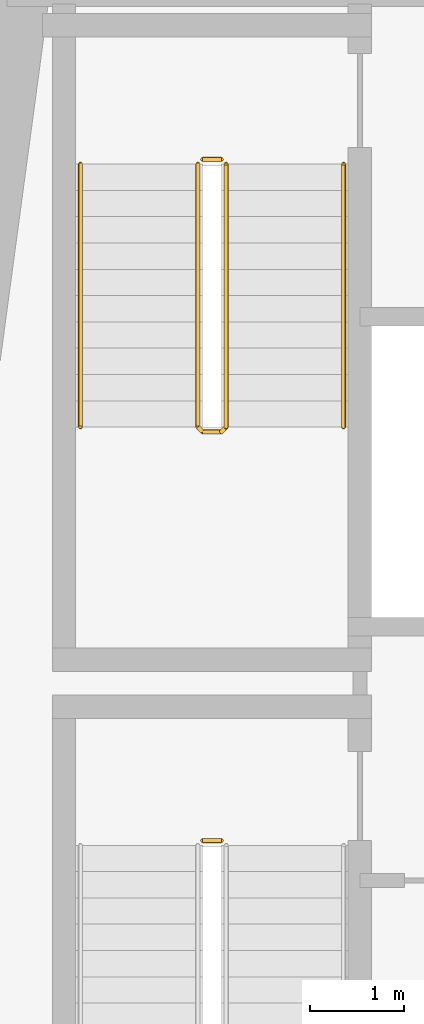
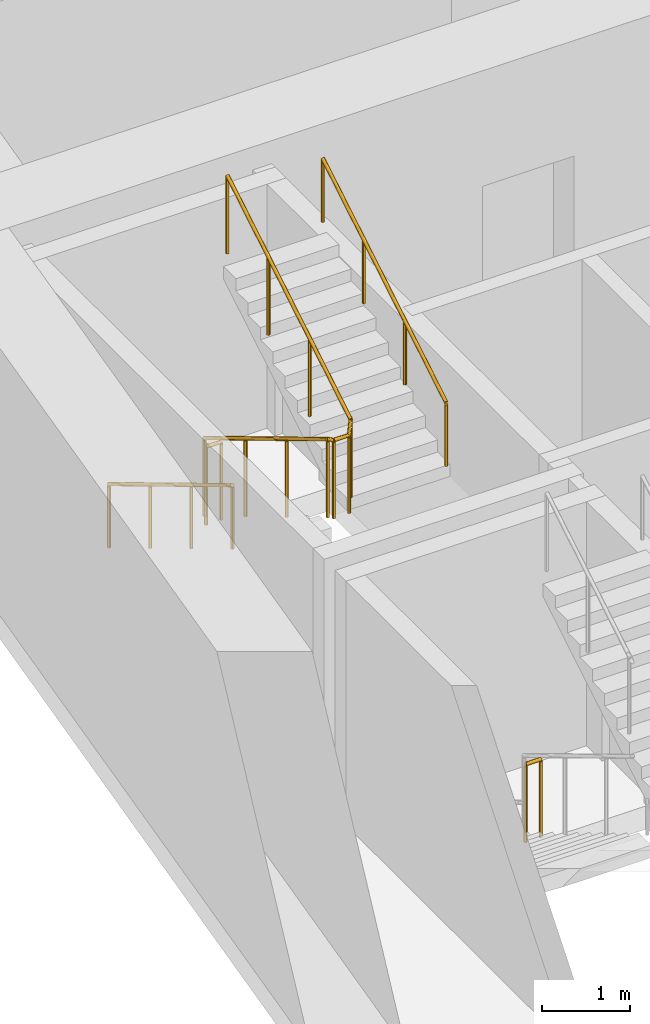
# One storey, part 10 of 13: 5 railings.
"""IFC4 building model written with IfcOpenShell, lengths in metres."""

from ifc_helpers import new_model, si_unit, direction, frame, origin, origin_2d, place, context, subcontext, project, spatial, circle, extrude, material, type_object, element, save


model = new_model("IFC4")

# Units and contexts
model_context = context("Model", 3, precision=1e-05, world=origin(), true_north=direction((0.0, 1.0)))
body_context = subcontext(model_context, "Body", "Model", "MODEL_VIEW")
ifc_project = project(units=[si_unit("LENGTHUNIT", "METRE"), si_unit("AREAUNIT", "SQUARE_METRE"), si_unit("VOLUMEUNIT", "CUBIC_METRE"), si_unit("PLANEANGLEUNIT", "RADIAN"), si_unit("MASSUNIT", "GRAM", prefix="KILO")], contexts=[model_context])

# Site, building, storey
site_placement = place(None, origin())
site = spatial("IfcSite", under=ifc_project, at=site_placement, CompositionType="ELEMENT")
building_placement = place(site_placement, origin())
building = spatial("IfcBuilding", under=site, at=building_placement, Name="Candeia Pilgrim Tower and Theatre", CompositionType="ELEMENT")
storey_placement = place(building_placement, frame((0.0, 0.0, 113.199951171875)))
storey = spatial("IfcBuildingStorey", under=building, at=storey_placement, Name="L26", CompositionType="ELEMENT", Elevation=113.199951171875)

# Railings
ifc_material_1 = material(Name="Stainless steel balustrade", Category="steel")
railing_type_1 = type_object("IfcRailingType", Name="RL-GUARD-1100", PredefinedType="GUARDRAIL", material=ifc_material_1)
railing_1_placement = place(storey_placement, frame((91.152099609375, 122.52490234375, 0.0)))
element("IfcRailing", 1, at=railing_1_placement, inside=storey, type_object=railing_type_1, Name="L26 ST1 stair guard 2", PredefinedType="GUARDRAIL", context=body_context, shape_type="SweptSolid", body=[
    extrude(circle(Radius=0.02392578125, at=origin_2d()), frame((0.0, 0.0, 1.076171875), z_axis=(1.0, 0.0, 0.0), x_axis=(0.0, 1.0, 0.0)), (0.0, 0.0, 1.0), 0.199951171875),
    extrude(circle(Radius=0.02099609375, at=origin_2d()), origin(), (0.0, 0.0, 1.0), 1.052001953125),
    extrude(circle(Radius=0.02099609375, at=origin_2d()), frame((0.199951171875, 0.0, 0.0)), (0.0, 0.0, 1.0), 1.052001953125),
])
railing_2_placement = place(storey_placement, frame((91.10205078125, 129.72509765625, 0.168212890625)))
element("IfcRailing", 2, at=railing_2_placement, inside=storey, type_object=railing_type_1, Name="L26 ST2 stair guard 1", PredefinedType="GUARDRAIL", context=body_context, shape_type="SweptSolid", body=[
    extrude(circle(Radius=0.02392578125, at=origin_2d()), frame((0.0, 0.0, 1.076171875), z_axis=(0.0, -0.857242210791, 0.514913383045), x_axis=(1.0, 0.0, 0.0)), (0.0, 0.0, 1.0), 3.266357421875),
    extrude(circle(Radius=0.02392578125, at=origin_2d()), frame((0.0, -2.800048828125, 2.7578125), z_axis=(0.707106781187, -0.707106781187, 0.0), x_axis=(0.707106781187, 0.707106781187, 0.0)), (0.0, 0.0, 1.0), 0.07080078125),
    extrude(circle(Radius=0.02392578125, at=origin_2d()), frame((0.050048828125, -2.85009765625, 2.7578125), z_axis=(1.0, 0.0, 0.0), x_axis=(0.0, 1.0, 0.0)), (0.0, 0.0, 1.0), 0.199951171875),
    extrude(circle(Radius=0.02392578125, at=origin_2d()), frame((0.25, -2.85009765625, 2.7578125), z_axis=(0.274243871929, 0.274243871929, 0.92172696468), x_axis=(-0.707106781187, 0.707106781187, 0.0)), (0.0, 0.0, 1.0), 0.1826171875),
    extrude(circle(Radius=0.02392578125, at=origin_2d()), frame((0.300048828125, -2.800048828125, 2.92626953125), z_axis=(0.0, 0.857275202839, 0.514858452973), x_axis=(-1.0, 0.0, 0.0)), (0.0, 0.0, 1.0), 3.26611328125),
    extrude(circle(Radius=0.02099609375, at=origin_2d()), origin(), (0.0, 0.0, 1.0), 1.052001953125),
    extrude(circle(Radius=0.02099609375, at=origin_2d()), frame((0.0, -0.933349609375, 0.560546875)), (0.0, 0.0, 1.0), 1.052001953125),
    extrude(circle(Radius=0.02099609375, at=origin_2d()), frame((0.0, -1.86669921875, 1.121337890625)), (0.0, 0.0, 1.0), 1.052001953125),
    extrude(circle(Radius=0.02099609375, at=origin_2d()), frame((0.0, -2.800048828125, 1.681884765625)), (0.0, 0.0, 1.0), 1.052001953125),
    extrude(circle(Radius=0.02099609375, at=origin_2d()), frame((0.050048828125, -2.85009765625, 1.681884765625)), (0.0, 0.0, 1.0), 1.052001953125),
    extrude(circle(Radius=0.02099609375, at=origin_2d()), frame((0.25, -2.85009765625, 1.681884765625)), (0.0, 0.0, 1.0), 1.052001953125),
    extrude(circle(Radius=0.02099609375, at=origin_2d()), frame((0.300048828125, -2.800048828125, 1.85009765625)), (0.0, 0.0, 1.0), 1.052001953125),
    extrude(circle(Radius=0.02099609375, at=origin_2d()), frame((0.300048828125, -1.86669921875, 2.41064453125)), (0.0, 0.0, 1.0), 1.052001953125),
    extrude(circle(Radius=0.02099609375, at=origin_2d()), frame((0.300048828125, -0.933349609375, 2.97119140625)), (0.0, 0.0, 1.0), 1.052001953125),
    extrude(circle(Radius=0.02099609375, at=origin_2d()), frame((0.300048828125, 0.0, 3.53173828125)), (0.0, 0.0, 1.0), 1.052001953125),
])
railing_3_placement = place(storey_placement, frame((91.152099609375, 129.77490234375, 0.0)))
element("IfcRailing", 3, at=railing_3_placement, inside=storey, type_object=railing_type_1, Name="L26 ST2 stair guard 2", PredefinedType="GUARDRAIL", context=body_context, shape_type="SweptSolid", body=[
    extrude(circle(Radius=0.02392578125, at=origin_2d()), frame((0.0, 0.0, 1.076171875), z_axis=(1.0, 0.0, 0.0), x_axis=(0.0, 1.0, 0.0)), (0.0, 0.0, 1.0), 0.199951171875),
    extrude(circle(Radius=0.02099609375, at=origin_2d()), origin(), (0.0, 0.0, 1.0), 1.052001953125),
    extrude(circle(Radius=0.02099609375, at=origin_2d()), frame((0.199951171875, 0.0, 0.0)), (0.0, 0.0, 1.0), 1.052001953125),
])
ifc_material_2 = material(Name="Stainless steel handrail", Category="steel")
railing_type_2 = type_object("IfcRailingType", Name="RL-HANDRAIL-900", PredefinedType="HANDRAIL", material=ifc_material_2)
railing_4_placement = place(storey_placement, frame((89.85205078125, 129.72509765625, 0.168212890625)))
element("IfcRailing", 4, at=railing_4_placement, inside=storey, type_object=railing_type_2, Name="L26 ST2 stair handrail 1", PredefinedType="HANDRAIL", context=body_context, shape_type="SweptSolid", body=[
    extrude(circle(Radius=0.02392578125, at=origin_2d()), frame((0.0, 0.0, 0.8759765625), z_axis=(0.0, -0.857242210791, 0.514913383045), x_axis=(1.0, 0.0, 0.0)), (0.0, 0.0, 1.0), 3.266357421875),
    extrude(circle(Radius=0.02099609375, at=origin_2d()), origin(), (0.0, 0.0, 1.0), 0.851806640625),
    extrude(circle(Radius=0.02099609375, at=origin_2d()), frame((0.0, -0.933349609375, 0.560546875)), (0.0, 0.0, 1.0), 0.851806640625),
    extrude(circle(Radius=0.02099609375, at=origin_2d()), frame((0.0, -1.86669921875, 1.121337890625)), (0.0, 0.0, 1.0), 0.851806640625),
    extrude(circle(Radius=0.02099609375, at=origin_2d()), frame((0.0, -2.800048828125, 1.681884765625)), (0.0, 0.0, 1.0), 0.851806640625),
])
railing_5_placement = place(storey_placement, frame((92.652099609375, 126.925048828125, 2.018310546875)))
element("IfcRailing", 5, at=railing_5_placement, inside=storey, type_object=railing_type_2, Name="L26 ST2 stair handrail 2", PredefinedType="HANDRAIL", context=body_context, shape_type="SweptSolid", body=[
    extrude(circle(Radius=0.02392578125, at=origin_2d()), frame((0.0, 0.0, 0.8759765625), z_axis=(0.0, 0.857275202839, 0.514858452973), x_axis=(-1.0, 0.0, 0.0)), (0.0, 0.0, 1.0), 3.26611328125),
    extrude(circle(Radius=0.02099609375, at=origin_2d()), origin(), (0.0, 0.0, 1.0), 0.851806640625),
    extrude(circle(Radius=0.02099609375, at=origin_2d()), frame((0.0, 0.933349609375, 0.560546875)), (0.0, 0.0, 1.0), 0.851806640625),
    extrude(circle(Radius=0.02099609375, at=origin_2d()), frame((0.0, 1.86669921875, 1.12109375)), (0.0, 0.0, 1.0), 0.851806640625),
    extrude(circle(Radius=0.02099609375, at=origin_2d()), frame((0.0, 2.800048828125, 1.681640625)), (0.0, 0.0, 1.0), 0.851806640625),
])

save(model, "model.ifc")
